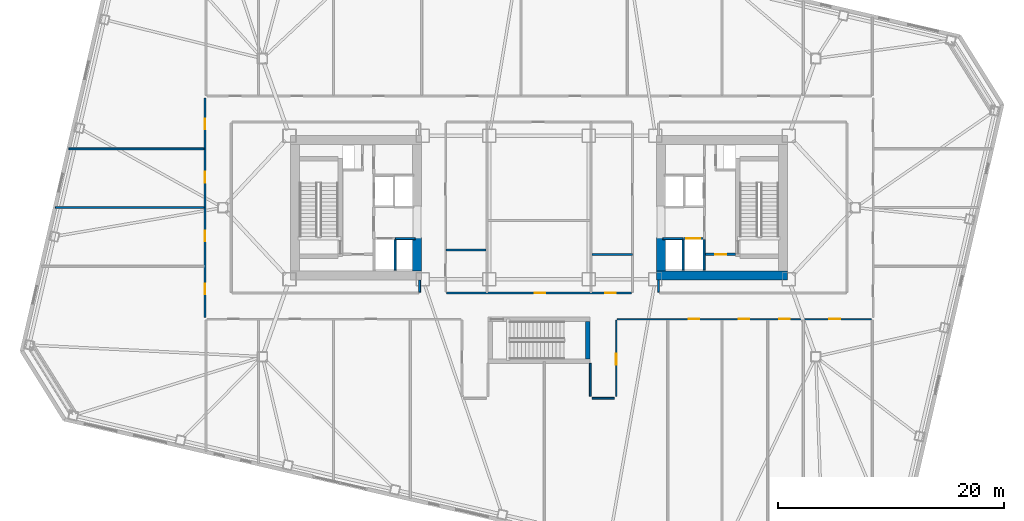
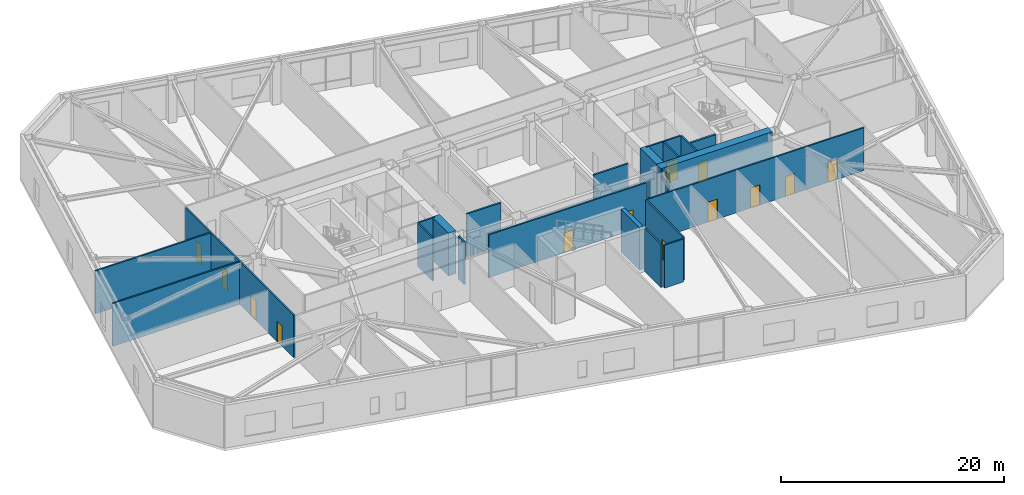
# One storey, part 10 of 20: 23 walls, 13 doors, 13 openings.
"""IFC4 building model written with IfcOpenShell, lengths in metres."""

from ifc_helpers import new_model, si_unit, direction, frame, frame_2d, origin, place, context, subcontext, project, spatial, rectangle, extrude, material, layer, layer_set, type_object, element, fill, save


model = new_model("IFC4")

# Units and contexts
model_context = context("Model", 3, precision=1e-05, world=origin(), true_north=direction((0.0, 1.0)))
body_context = subcontext(model_context, "Body", "Model", "MODEL_VIEW")
ifc_project = project(units=[si_unit("LENGTHUNIT", "METRE"), si_unit("AREAUNIT", "SQUARE_METRE"), si_unit("VOLUMEUNIT", "CUBIC_METRE"), si_unit("PLANEANGLEUNIT", "RADIAN"), si_unit("MASSUNIT", "GRAM", prefix="KILO")], contexts=[model_context])

# Site, building, storey
site_placement = place(None, origin())
site = spatial("IfcSite", under=ifc_project, at=site_placement, CompositionType="ELEMENT")
building_placement = place(site_placement, origin())
building = spatial("IfcBuilding", under=site, at=building_placement, Name="Tavrogorsk Clinical Tower", CompositionType="ELEMENT")
storey_placement = place(building_placement, frame((0.0, 0.0, 13.39990234375)))
storey = spatial("IfcBuildingStorey", under=building, at=storey_placement, Name="L02", CompositionType="ELEMENT", Elevation=13.39990234375)

# Wall, opening, door
ifc_material_1 = material(Name="Concrete B60", Category="concrete")
ifc_layer_1 = layer(ifc_material_1, 0.199951171875)
ifc_layer_set_1 = layer_set([ifc_layer_1], Name="Concrete B60")
wall_type_1 = type_object("IfcWallType", Name="CoreFireWall_200", PredefinedType="SOLIDWALL", material=ifc_layer_set_1)
wall_1_placement = place(storey_placement, frame((14.719970703125, -4.139892578125, 0.0), z_axis=(0.0, 0.0, 1.0), x_axis=(1.0, 0.0, 0.0)))
wall_1 = element("IfcWall", 1, at=wall_1_placement, inside=storey, type_object=wall_type_1, Name="L02 Core East South Core Room Fire Wall", PredefinedType="SOLIDWALL", context=body_context, shape_type="SweptSolid", body=[
    extrude(rectangle(XDim=2.659912109375, YDim=0.199951171875, at=frame_2d((1.330078125, 0.0))), origin(), (0.0, 0.0, 1.0), 4.7001953125),
])
opening_1_placement = place(wall_1_placement, frame((0.8798828125, 0.0, 0.0)))
opening_1 = element("IfcOpeningElement", 2, at=opening_1_placement, cuts=wall_1, Name="Opening ID-02", PredefinedType="OPENING", context=body_context, shape_type="SweptSolid", body=[
    extrude(rectangle(XDim=0.949951171875, YDim=2.199951171875, at=frame_2d((0.47509765625, 1.10009765625))), frame((0.0, 0.10986328125, 0.0), z_axis=(0.0, -1.0, 0.0), x_axis=(1.0, 0.0, 0.0)), (0.0, 0.0, 1.0), 0.219970703125),
])
ifc_material_2 = material(Name="Laminated timber leaf on aluminium frame", Category="wood")
door_type_1 = type_object("IfcDoorType", Name="InteriorDoor_ID02_950", OperationType="NOTDEFINED", PredefinedType="DOOR", material=ifc_material_2)
door_1_placement = place(opening_1_placement, origin())
door_1 = element("IfcDoor", 3, at=door_1_placement, inside=storey, type_object=door_type_1, Name="L02 Core East South Core Room Door", OperationType="SINGLE_SWING_RIGHT", OverallHeight=2.199951171875, OverallWidth=0.949951171875, PredefinedType="DOOR", context=body_context, shape_type="SweptSolid", body=[
    extrude(rectangle(XDim=0.949951171875, YDim=2.199951171875, at=frame_2d((0.47509765625, 1.10009765625))), frame((0.0, 0.02490234375, 0.0), z_axis=(0.0, -1.0, 0.0), x_axis=(1.0, 0.0, 0.0)), (0.0, 0.0, 1.0), 0.050048828125),
])
fill(opening_1, door_1)

# Wall, openings, doors
ifc_material_3 = material(Name="Lightweight concrete blockwork B15", Category="masonry")
ifc_layer_2 = layer(ifc_material_3, 0.159912109375)
ifc_layer_set_2 = layer_set([ifc_layer_2], Name="Lightweight concrete blockwork B15")
wall_type_2 = type_object("IfcWallType", Name="PartitionWall_160", PredefinedType="PARTITIONING", material=ifc_layer_set_2)
wall_2_placement = place(storey_placement, frame((-29.580078125, -9.715087890625, 0.0), z_axis=(0.0, 0.0, 1.0), x_axis=(0.0, 1.0, 0.0)))
wall_2 = element("IfcWall", 4, at=wall_2_placement, inside=storey, type_object=wall_type_2, Name="L02 Corridor Partition 01", PredefinedType="PARTITIONING", context=body_context, shape_type="SweptSolid", body=[
    extrude(rectangle(XDim=19.43017578125, YDim=0.159912109375, at=frame_2d((9.715087890625, 0.0))), origin(), (0.0, 0.0, 1.0), 4.7001953125),
])
opening_2_placement = place(wall_2_placement, frame((2.01904296875, 0.0, 0.0)))
opening_2 = element("IfcOpeningElement", 5, at=opening_2_placement, cuts=wall_2, Name="Opening ID-02", PredefinedType="OPENING", context=body_context, shape_type="SweptSolid", body=[
    extrude(rectangle(XDim=0.949951171875, YDim=2.199951171875, at=frame_2d((0.47509765625, 1.10009765625))), frame((0.0, 0.08984375, 0.0), z_axis=(0.0, -1.0, 0.0), x_axis=(1.0, 0.0, 0.0)), (0.0, 0.0, 1.0), 0.179931640625),
])
opening_3_placement = place(wall_2_placement, frame((6.72509765625, 0.0, 0.0)))
opening_3 = element("IfcOpeningElement", 6, at=opening_3_placement, cuts=wall_2, Name="Opening ID-02", PredefinedType="OPENING", context=body_context, shape_type="SweptSolid", body=[
    extrude(rectangle(XDim=0.949951171875, YDim=2.199951171875, at=frame_2d((0.47509765625, 1.10009765625))), frame((0.0, 0.08984375, 0.0), z_axis=(0.0, -1.0, 0.0), x_axis=(1.0, 0.0, 0.0)), (0.0, 0.0, 1.0), 0.179931640625),
])
opening_4_placement = place(wall_2_placement, frame((11.925048828125, 0.0, 0.0)))
opening_4 = element("IfcOpeningElement", 7, at=opening_4_placement, cuts=wall_2, Name="Opening ID-02", PredefinedType="OPENING", context=body_context, shape_type="SweptSolid", body=[
    extrude(rectangle(XDim=0.949951171875, YDim=2.199951171875, at=frame_2d((0.47509765625, 1.10009765625))), frame((0.0, 0.08984375, 0.0), z_axis=(0.0, -1.0, 0.0), x_axis=(1.0, 0.0, 0.0)), (0.0, 0.0, 1.0), 0.179931640625),
])
opening_5_placement = place(wall_2_placement, frame((16.630859375, 0.0, 0.0)))
opening_5 = element("IfcOpeningElement", 8, at=opening_5_placement, cuts=wall_2, Name="Opening ID-02", PredefinedType="OPENING", context=body_context, shape_type="SweptSolid", body=[
    extrude(rectangle(XDim=0.949951171875, YDim=2.199951171875, at=frame_2d((0.47509765625, 1.10009765625))), frame((0.0, 0.08984375, 0.0), z_axis=(0.0, -1.0, 0.0), x_axis=(1.0, 0.0, 0.0)), (0.0, 0.0, 1.0), 0.179931640625),
])
door_2_placement = place(opening_2_placement, origin())
door_2 = element("IfcDoor", 9, at=door_2_placement, inside=storey, type_object=door_type_1, Name="L02 W Solarium Day Room & Lounge 1 Door", OperationType="SINGLE_SWING_RIGHT", OverallHeight=2.199951171875, OverallWidth=0.949951171875, PredefinedType="DOOR", context=body_context, shape_type="SweptSolid", body=[
    extrude(rectangle(XDim=0.949951171875, YDim=2.199951171875, at=frame_2d((0.47509765625, 1.10009765625))), frame((0.0, 0.02490234375, 0.0), z_axis=(0.0, -1.0, 0.0), x_axis=(1.0, 0.0, 0.0)), (0.0, 0.0, 1.0), 0.050048828125),
])
fill(opening_2, door_2)
door_3_placement = place(opening_3_placement, origin())
door_3 = element("IfcDoor", 10, at=door_3_placement, inside=storey, type_object=door_type_1, Name="L02 W Rehabilitation Therapy Suite 2 Door", OperationType="SINGLE_SWING_LEFT", OverallHeight=2.199951171875, OverallWidth=0.949951171875, PredefinedType="DOOR", context=body_context, shape_type="SweptSolid", body=[
    extrude(rectangle(XDim=0.949951171875, YDim=2.199951171875, at=frame_2d((0.47509765625, 1.10009765625))), frame((0.0, 0.02490234375, 0.0), z_axis=(0.0, -1.0, 0.0), x_axis=(1.0, 0.0, 0.0)), (0.0, 0.0, 1.0), 0.050048828125),
])
fill(opening_3, door_3)
door_4_placement = place(opening_4_placement, origin())
door_4 = element("IfcDoor", 11, at=door_4_placement, inside=storey, type_object=door_type_1, Name="L02 W Sub-Acute Observation Suite 3 Door", OperationType="SINGLE_SWING_RIGHT", OverallHeight=2.199951171875, OverallWidth=0.949951171875, PredefinedType="DOOR", context=body_context, shape_type="SweptSolid", body=[
    extrude(rectangle(XDim=0.949951171875, YDim=2.199951171875, at=frame_2d((0.47509765625, 1.10009765625))), frame((0.0, 0.02490234375, 0.0), z_axis=(0.0, -1.0, 0.0), x_axis=(1.0, 0.0, 0.0)), (0.0, 0.0, 1.0), 0.050048828125),
])
fill(opening_4, door_4)
door_5_placement = place(opening_5_placement, origin())
door_5 = element("IfcDoor", 12, at=door_5_placement, inside=storey, type_object=door_type_1, Name="L02 W Family Consultation Lounge 4 Door", OperationType="SINGLE_SWING_LEFT", OverallHeight=2.199951171875, OverallWidth=0.949951171875, PredefinedType="DOOR", context=body_context, shape_type="SweptSolid", body=[
    extrude(rectangle(XDim=0.949951171875, YDim=2.199951171875, at=frame_2d((0.47509765625, 1.10009765625))), frame((0.0, 0.02490234375, 0.0), z_axis=(0.0, -1.0, 0.0), x_axis=(1.0, 0.0, 0.0)), (0.0, 0.0, 1.0), 0.050048828125),
])
fill(opening_5, door_5)

wall_3_placement = place(storey_placement, frame((29.4150390625, -9.8798828125, 0.0), z_axis=(0.0, 0.0, 1.0), x_axis=(-1.0, 0.0, 0.0)))
wall_3 = element("IfcWall", 13, at=wall_3_placement, inside=storey, type_object=wall_type_2, Name="L02 Corridor Partition 04", PredefinedType="PARTITIONING", context=body_context, shape_type="SweptSolid", body=[
    extrude(rectangle(XDim=22.5, YDim=0.159912109375, at=frame_2d((11.25, 0.0))), origin(), (0.0, 0.0, 1.0), 4.7001953125),
])
opening_6_placement = place(wall_3_placement, frame((15.22509765625, 0.0, 0.0)))
opening_6 = element("IfcOpeningElement", 14, at=opening_6_placement, cuts=wall_3, Name="Opening ID-02", PredefinedType="OPENING", context=body_context, shape_type="SweptSolid", body=[
    extrude(rectangle(XDim=0.949951171875, YDim=2.199951171875, at=frame_2d((0.47509765625, 1.10009765625))), frame((0.0, 0.08984375, 0.0), z_axis=(0.0, -1.0, 0.0), x_axis=(1.0, 0.0, 0.0)), (0.0, 0.0, 1.0), 0.179931640625),
])
opening_7_placement = place(wall_3_placement, frame((10.800048828125, 0.0, 0.0)))
opening_7 = element("IfcOpeningElement", 15, at=opening_7_placement, cuts=wall_3, Name="Opening ID-02", PredefinedType="OPENING", context=body_context, shape_type="SweptSolid", body=[
    extrude(rectangle(XDim=0.949951171875, YDim=2.199951171875, at=frame_2d((0.47509765625, 1.10009765625))), frame((0.0, 0.08984375, 0.0), z_axis=(0.0, -1.0, 0.0), x_axis=(1.0, 0.0, 0.0)), (0.0, 0.0, 1.0), 0.179931640625),
])
opening_8_placement = place(wall_3_placement, frame((7.199951171875, 0.0, 0.0)))
opening_8 = element("IfcOpeningElement", 16, at=opening_8_placement, cuts=wall_3, Name="Opening ID-02", PredefinedType="OPENING", context=body_context, shape_type="SweptSolid", body=[
    extrude(rectangle(XDim=0.949951171875, YDim=2.199951171875, at=frame_2d((0.47509765625, 1.10009765625))), frame((0.0, 0.08984375, 0.0), z_axis=(0.0, -1.0, 0.0), x_axis=(1.0, 0.0, 0.0)), (0.0, 0.0, 1.0), 0.179931640625),
])
opening_9_placement = place(wall_3_placement, frame((2.76904296875, 0.0, 0.0)))
opening_9 = element("IfcOpeningElement", 17, at=opening_9_placement, cuts=wall_3, Name="Opening ID-02", PredefinedType="OPENING", context=body_context, shape_type="SweptSolid", body=[
    extrude(rectangle(XDim=0.949951171875, YDim=2.199951171875, at=frame_2d((0.47509765625, 1.10009765625))), frame((0.0, 0.08984375, 0.0), z_axis=(0.0, -1.0, 0.0), x_axis=(1.0, 0.0, 0.0)), (0.0, 0.0, 1.0), 0.179931640625),
])
door_6_placement = place(opening_6_placement, origin())
door_6 = element("IfcDoor", 18, at=door_6_placement, inside=storey, type_object=door_type_1, Name="L02 South Pathologist Consultation Office 05 Door", OperationType="SINGLE_SWING_RIGHT", OverallHeight=2.199951171875, OverallWidth=0.949951171875, PredefinedType="DOOR", context=body_context, shape_type="SweptSolid", body=[
    extrude(rectangle(XDim=0.949951171875, YDim=2.199951171875, at=frame_2d((0.47509765625, 1.10009765625))), frame((0.0, 0.02490234375, 0.0), z_axis=(0.0, -1.0, 0.0), x_axis=(1.0, 0.0, 0.0)), (0.0, 0.0, 1.0), 0.050048828125),
])
fill(opening_6, door_6)
door_7_placement = place(opening_7_placement, origin())
door_7 = element("IfcDoor", 19, at=door_7_placement, inside=storey, type_object=door_type_1, Name="L02 South Laboratory Seminar Room 06A Door", OperationType="SINGLE_SWING_LEFT", OverallHeight=2.199951171875, OverallWidth=0.949951171875, PredefinedType="DOOR", context=body_context, shape_type="SweptSolid", body=[
    extrude(rectangle(XDim=0.949951171875, YDim=2.199951171875, at=frame_2d((0.47509765625, 1.10009765625))), frame((0.0, 0.02490234375, 0.0), z_axis=(0.0, -1.0, 0.0), x_axis=(1.0, 0.0, 0.0)), (0.0, 0.0, 1.0), 0.050048828125),
])
fill(opening_7, door_7)
door_8_placement = place(opening_8_placement, origin())
door_8 = element("IfcDoor", 20, at=door_8_placement, inside=storey, type_object=door_type_1, Name="L02 South Histopathology & Cytology Laboratory 06B Door", OperationType="SINGLE_SWING_RIGHT", OverallHeight=2.199951171875, OverallWidth=0.949951171875, PredefinedType="DOOR", context=body_context, shape_type="SweptSolid", body=[
    extrude(rectangle(XDim=0.949951171875, YDim=2.199951171875, at=frame_2d((0.47509765625, 1.10009765625))), frame((0.0, 0.02490234375, 0.0), z_axis=(0.0, -1.0, 0.0), x_axis=(1.0, 0.0, 0.0)), (0.0, 0.0, 1.0), 0.050048828125),
])
fill(opening_8, door_8)
door_9_placement = place(opening_9_placement, origin())
door_9 = element("IfcDoor", 21, at=door_9_placement, inside=storey, type_object=door_type_1, Name="L02 South Clinical Biochemistry Laboratory 07 Door", OperationType="SINGLE_SWING_LEFT", OverallHeight=2.199951171875, OverallWidth=0.949951171875, PredefinedType="DOOR", context=body_context, shape_type="SweptSolid", body=[
    extrude(rectangle(XDim=0.949951171875, YDim=2.199951171875, at=frame_2d((0.47509765625, 1.10009765625))), frame((0.0, 0.02490234375, 0.0), z_axis=(0.0, -1.0, 0.0), x_axis=(1.0, 0.0, 0.0)), (0.0, 0.0, 1.0), 0.050048828125),
])
fill(opening_9, door_9)

# Wall, opening, door
wall_4_placement = place(storey_placement, frame((6.830078125, -9.965087890625, 0.0), z_axis=(0.0, 0.0, 1.0), x_axis=(0.0, -1.0, 0.0)))
wall_4 = element("IfcWall", 22, at=wall_4_placement, inside=storey, type_object=wall_type_2, Name="L02 Corridor Partition 05", PredefinedType="PARTITIONING", context=body_context, shape_type="SweptSolid", body=[
    extrude(rectangle(XDim=6.75, YDim=0.159912109375, at=frame_2d((3.375, 0.0))), origin(), (0.0, 0.0, 1.0), 4.7001953125),
])
opening_10_placement = place(wall_4_placement, frame((2.985107421875, 0.0, 0.0)))
opening_10 = element("IfcOpeningElement", 23, at=opening_10_placement, cuts=wall_4, Name="Opening ID-02", PredefinedType="OPENING", context=body_context, shape_type="SweptSolid", body=[
    extrude(rectangle(XDim=0.949951171875, YDim=2.199951171875, at=frame_2d((0.47509765625, 1.10009765625))), frame((0.0, 0.08984375, 0.0), z_axis=(0.0, -1.0, 0.0), x_axis=(1.0, 0.0, 0.0)), (0.0, 0.0, 1.0), 0.179931640625),
])
door_10_placement = place(opening_10_placement, origin())
door_10 = element("IfcDoor", 24, at=door_10_placement, inside=storey, type_object=door_type_1, Name="L02 South Reagent Cold Storage Room 04B Door", OperationType="SINGLE_SWING_LEFT", OverallHeight=2.199951171875, OverallWidth=0.949951171875, PredefinedType="DOOR", context=body_context, shape_type="SweptSolid", body=[
    extrude(rectangle(XDim=0.949951171875, YDim=2.199951171875, at=frame_2d((0.47509765625, 1.10009765625))), frame((0.0, 0.02490234375, 0.0), z_axis=(0.0, -1.0, 0.0), x_axis=(1.0, 0.0, 0.0)), (0.0, 0.0, 1.0), 0.050048828125),
])
fill(opening_10, door_10)

# Walls
wall_5_placement = place(storey_placement, frame((6.6650390625, -16.8798828125, 0.0), z_axis=(0.0, 0.0, 1.0), x_axis=(-1.0, 0.0, 0.0)))
element("IfcWall", 25, at=wall_5_placement, inside=storey, type_object=wall_type_2, Name="L02 Corridor Partition 06", PredefinedType="PARTITIONING", context=body_context, shape_type="SweptSolid", body=[
    extrude(rectangle(XDim=1.97998046875, YDim=0.159912109375, at=frame_2d((0.989990234375, 0.0))), origin(), (0.0, 0.0, 1.0), 4.7001953125),
])
wall_6_placement = place(storey_placement, frame((4.52001953125, -16.715087890625, 0.0), z_axis=(0.0, 0.0, 1.0), x_axis=(0.0, 1.0, 0.0)))
element("IfcWall", 26, at=wall_6_placement, inside=storey, type_object=wall_type_2, Name="L02 Corridor Partition 07", PredefinedType="PARTITIONING", context=body_context, shape_type="SweptSolid", body=[
    extrude(rectangle(XDim=2.9150390625, YDim=0.159912109375, at=frame_2d((1.45751953125, 0.0))), origin(), (0.0, 0.0, 1.0), 4.7001953125),
])
wall_7_placement = place(storey_placement, frame((10.580078125, -6.419921875, 0.0), z_axis=(0.0, 0.0, 1.0), x_axis=(0.0, -1.0, 0.0)))
element("IfcWall", 27, at=wall_7_placement, inside=storey, type_object=wall_type_2, Name="L02 Corridor Partition 14", PredefinedType="PARTITIONING", context=body_context, shape_type="SweptSolid", body=[
    extrude(rectangle(XDim=1.065185546875, YDim=0.159912109375, at=frame_2d((0.53271484375, 0.0))), origin(), (0.0, 0.0, 1.0), 4.7001953125),
])

# Wall, openings, doors
wall_8_placement = place(storey_placement, frame((-8.18505859375, -7.570068359375, 0.0), z_axis=(0.0, 0.0, 1.0), x_axis=(1.0, 0.0, 0.0)))
wall_8 = element("IfcWall", 28, at=wall_8_placement, inside=storey, type_object=wall_type_2, Name="L02 Corridor Partition 19", PredefinedType="PARTITIONING", context=body_context, shape_type="SweptSolid", body=[
    extrude(rectangle(XDim=16.3701171875, YDim=0.159912109375, at=frame_2d((8.18505859375, 0.0))), origin(), (0.0, 0.0, 1.0), 4.7001953125),
])
opening_11_placement = place(wall_8_placement, frame((7.794921875, 0.0, 0.0)))
opening_11 = element("IfcOpeningElement", 29, at=opening_11_placement, cuts=wall_8, Name="Opening ID-02", PredefinedType="OPENING", context=body_context, shape_type="SweptSolid", body=[
    extrude(rectangle(XDim=0.949951171875, YDim=2.199951171875, at=frame_2d((0.47509765625, 1.10009765625))), frame((0.0, 0.08984375, 0.0), z_axis=(0.0, -1.0, 0.0), x_axis=(1.0, 0.0, 0.0)), (0.0, 0.0, 1.0), 0.179931640625),
])
opening_12_placement = place(wall_8_placement, frame((14.035888671875, 0.0, 0.0)))
opening_12 = element("IfcOpeningElement", 30, at=opening_12_placement, cuts=wall_8, Name="Opening ID-02", PredefinedType="OPENING", context=body_context, shape_type="SweptSolid", body=[
    extrude(rectangle(XDim=0.949951171875, YDim=2.199951171875, at=frame_2d((0.47509765625, 1.10009765625))), frame((0.0, 0.08984375, 0.0), z_axis=(0.0, -1.0, 0.0), x_axis=(1.0, 0.0, 0.0)), (0.0, 0.0, 1.0), 0.179931640625),
])
door_11_placement = place(opening_11_placement, origin())
door_11 = element("IfcDoor", 31, at=door_11_placement, inside=storey, type_object=door_type_1, Name="L02 Multidisciplinary Conference Room Door", OperationType="SINGLE_SWING_RIGHT", OverallHeight=2.199951171875, OverallWidth=0.949951171875, PredefinedType="DOOR", context=body_context, shape_type="SweptSolid", body=[
    extrude(rectangle(XDim=0.949951171875, YDim=2.199951171875, at=frame_2d((0.47509765625, 1.10009765625))), frame((0.0, 0.02490234375, 0.0), z_axis=(0.0, -1.0, 0.0), x_axis=(1.0, 0.0, 0.0)), (0.0, 0.0, 1.0), 0.050048828125),
])
fill(opening_11, door_11)
door_12_placement = place(opening_12_placement, origin())
door_12 = element("IfcDoor", 32, at=door_12_placement, inside=storey, type_object=door_type_1, Name="L02 Staff & Visitor Accessible WC Door", OperationType="SINGLE_SWING_RIGHT", OverallHeight=2.199951171875, OverallWidth=0.949951171875, PredefinedType="DOOR", context=body_context, shape_type="SweptSolid", body=[
    extrude(rectangle(XDim=0.949951171875, YDim=2.199951171875, at=frame_2d((0.47509765625, 1.10009765625))), frame((0.0, 0.02490234375, 0.0), z_axis=(0.0, -1.0, 0.0), x_axis=(1.0, 0.0, 0.0)), (0.0, 0.0, 1.0), 0.050048828125),
])
fill(opening_12, door_12)

# Walls
wall_9_placement = place(storey_placement, frame((-10.580078125, -7.485107421875, 0.0), z_axis=(0.0, 0.0, 1.0), x_axis=(0.0, 1.0, 0.0)))
element("IfcWall", 33, at=wall_9_placement, inside=storey, type_object=wall_type_2, Name="L02 Corridor Partition 21", PredefinedType="PARTITIONING", context=body_context, shape_type="SweptSolid", body=[
    extrude(rectangle(XDim=1.065185546875, YDim=0.159912109375, at=frame_2d((0.53271484375, 0.0))), origin(), (0.0, 0.0, 1.0), 4.7001953125),
])
wall_10_placement = place(storey_placement, frame((-42.841552734375, 0.0, 0.0), z_axis=(0.0, 0.0, 1.0), x_axis=(1.0, 0.0, 0.0)))
element("IfcWall", 34, at=wall_10_placement, inside=storey, type_object=wall_type_2, Name="L02 W Wing Divider 2", PredefinedType="PARTITIONING", context=body_context, shape_type="SweptSolid", body=[
    extrude(rectangle(XDim=13.176513671875, YDim=0.159912109375, at=frame_2d((6.58837890625, 0.0))), origin(), (0.0, 0.0, 1.0), 4.7001953125),
])
wall_11_placement = place(storey_placement, frame((-41.64111328125, 5.199951171875, 0.0), z_axis=(0.0, 0.0, 1.0), x_axis=(1.0, 0.0, 0.0)))
element("IfcWall", 35, at=wall_11_placement, inside=storey, type_object=wall_type_2, Name="L02 W Wing Divider 3", PredefinedType="PARTITIONING", context=body_context, shape_type="SweptSolid", body=[
    extrude(rectangle(XDim=11.97607421875, YDim=0.159912109375, at=frame_2d((5.988037109375, 0.0))), origin(), (0.0, 0.0, 1.0), 4.7001953125),
])
ifc_material_4 = material(Name="Lightweight concrete blockwork B20", Category="masonry")
ifc_layer_3 = layer(ifc_material_4, 0.179931640625)
ifc_layer_set_3 = layer_set([ifc_layer_3], Name="Lightweight concrete blockwork B20")
wall_type_3 = type_object("IfcWallType", Name="PartitionWall_180", PredefinedType="PARTITIONING", material=ifc_layer_set_3)
for number, where, z_axis, x_axis, name in (
    (36, (-8.264892578125, -3.75, 0.0), (0.0, 0.0, 1.0), (1.0, 0.0, 0.0), "L02 Central Spine Partition 4"),
    (37, (4.695068359375, -4.14990234375, 0.0), (0.0, 0.0, 1.0), (1.0, 0.0, 0.0), "L02 Central Spine Partition 5"),
):
    element("IfcWall", number, at=place(storey_placement, frame(where, z_axis=z_axis, x_axis=x_axis)), inside=storey, type_object=wall_type_3, Name=name, PredefinedType="PARTITIONING", context=body_context, shape_type="SweptSolid", body=[
        extrude(rectangle(XDim=3.56982421875, YDim=0.179931640625, at=frame_2d((1.784912109375, 0.0))), origin(), (0.0, 0.0, 1.0), 4.7001953125),
    ])
ifc_material_5 = material(Name="Lightweight concrete blockwork B25", Category="masonry")
ifc_layer_4 = layer(ifc_material_5, 0.159912109375)
ifc_layer_set_4 = layer_set([ifc_layer_4], Name="Lightweight concrete blockwork B25")
wall_type_4 = type_object("IfcWallType", Name="ShaftWall_160", PredefinedType="PARTITIONING", material=ifc_layer_set_4)
wall_12_placement = place(storey_placement, frame((-12.75, -5.5400390625, 0.0), z_axis=(0.0, 0.0, 1.0), x_axis=(0.0, 1.0, 0.0)))
element("IfcWall", 38, at=wall_12_placement, inside=storey, type_object=wall_type_4, Name="L02 LP-L1 Lift Hoistway Divider Wall", PredefinedType="PARTITIONING", context=body_context, shape_type="SweptSolid", body=[
    extrude(rectangle(XDim=2.699951171875, YDim=0.159912109375, at=frame_2d((1.35009765625, 0.0))), origin(), (0.0, 0.0, 1.0), 4.7001953125),
])
wall_13_placement = place(storey_placement, frame((-12.72998046875, -2.75, 0.0), z_axis=(0.0, 0.0, 1.0), x_axis=(1.0, 0.0, 0.0)))
element("IfcWall", 39, at=wall_13_placement, inside=storey, type_object=wall_type_4, Name="L02 LP-M1 Lift Shaft Portal Wall", PredefinedType="PARTITIONING", context=body_context, shape_type="SweptSolid", body=[
    extrude(rectangle(XDim=1.760009765625, YDim=0.159912109375, at=frame_2d((0.8798828125, 0.0))), origin(), (0.0, 0.0, 1.0), 4.7001953125),
])

# Wall, opening, door
wall_14_placement = place(storey_placement, frame((12.77001953125, -2.75, 0.0), z_axis=(0.0, 0.0, 1.0), x_axis=(1.0, 0.0, 0.0)))
wall_14 = element("IfcWall", 40, at=wall_14_placement, inside=storey, type_object=wall_type_4, Name="L02 LP-L2 Lift Shaft Portal Wall", PredefinedType="PARTITIONING", context=body_context, shape_type="SweptSolid", body=[
    extrude(rectangle(XDim=1.760009765625, YDim=0.159912109375, at=frame_2d((0.8798828125, 0.0))), origin(), (0.0, 0.0, 1.0), 4.7001953125),
])
opening_13_placement = place(wall_14_placement, frame((0.280029296875, 0.0, 0.0)))
opening_13 = element("IfcOpeningElement", 41, at=opening_13_placement, cuts=wall_14, Name="Opening LD", PredefinedType="OPENING", context=body_context, shape_type="SweptSolid", body=[
    extrude(rectangle(XDim=1.199951171875, YDim=2.199951171875, at=frame_2d((0.60009765625, 1.10009765625))), frame((0.0, 0.08984375, 0.0), z_axis=(0.0, -1.0, 0.0), x_axis=(1.0, 0.0, 0.0)), (0.0, 0.0, 1.0), 0.179931640625),
])
ifc_material_6 = material(Name="Brushed stainless steel AISI 304 sliding doors", Category="steel")
door_type_2 = type_object("IfcDoorType", Name="LiftLandingDoor_LD_1200", OperationType="SLIDING_TO_LEFT", PredefinedType="DOOR", material=ifc_material_6)
door_13_placement = place(opening_13_placement, origin())
door_13 = element("IfcDoor", 42, at=door_13_placement, inside=storey, type_object=door_type_2, Name="L02 LP-L2 Sliding Lift Landing Door", OperationType="SLIDING_TO_LEFT", OverallHeight=2.199951171875, OverallWidth=1.199951171875, PredefinedType="DOOR", context=body_context, shape_type="SweptSolid", body=[
    extrude(rectangle(XDim=1.199951171875, YDim=2.199951171875, at=frame_2d((0.60009765625, 1.10009765625))), frame((0.0, 0.02490234375, 0.0), z_axis=(0.0, -1.0, 0.0), x_axis=(1.0, 0.0, 0.0)), (0.0, 0.0, 1.0), 0.050048828125),
])
fill(opening_13, door_13)

# Walls
for number, where, z_axis, x_axis, name in (
    (43, (12.75, -5.5400390625, 0.0), (0.0, 0.0, 1.0), (0.0, 1.0, 0.0), "L02 LP-L2 Lift Hoistway Divider Wall"),
    (44, (14.610107421875, -5.5400390625, 0.0), (0.0, 0.0, 1.0), (0.0, 1.0, 0.0), "L02 LP-L2 Lift Hoistway Outer Cheek Wall"),
):
    element("IfcWall", number, at=place(storey_placement, frame(where, z_axis=z_axis, x_axis=x_axis)), inside=storey, type_object=wall_type_4, Name=name, PredefinedType="PARTITIONING", context=body_context, shape_type="SweptSolid", body=[
        extrude(rectangle(XDim=2.699951171875, YDim=0.159912109375, at=frame_2d((1.35009765625, 0.0))), origin(), (0.0, 0.0, 1.0), 4.7001953125),
    ])
wall_15_placement = place(storey_placement, frame((10.969970703125, -2.75, 0.0), z_axis=(0.0, 0.0, 1.0), x_axis=(1.0, 0.0, 0.0)))
element("IfcWall", 45, at=wall_15_placement, inside=storey, type_object=wall_type_4, Name="L02 LP-M2 Lift Shaft Portal Wall", PredefinedType="PARTITIONING", context=body_context, shape_type="SweptSolid", body=[
    extrude(rectangle(XDim=1.760009765625, YDim=0.159912109375, at=frame_2d((0.8798828125, 0.0))), origin(), (0.0, 0.0, 1.0), 4.7001953125),
])
ifc_material_7 = material(Name="Concrete B80", Category="concrete")
ifc_layer_5 = layer(ifc_material_7, 0.39990234375)
ifc_layer_set_5 = layer_set([ifc_layer_5], Name="Concrete B80")
wall_type_5 = type_object("IfcWallType", Name="ShearWall_400", PredefinedType="SHEAR", material=ifc_layer_set_5)
wall_16_placement = place(storey_placement, frame((4.324951171875, -13.39990234375, 0.0), z_axis=(0.0, 0.0, 1.0), x_axis=(0.0, 1.0, 0.0)))
element("IfcWall", 46, at=wall_16_placement, inside=storey, type_object=wall_type_5, Name="L02 Podium Stair East Shaft Wall", PredefinedType="SHEAR", context=body_context, shape_type="SweptSolid", body=[
    extrude(rectangle(XDim=3.2998046875, YDim=0.39990234375, at=frame_2d((1.64990234375, 0.0))), origin(), (0.0, 0.0, 1.0), 4.7001953125),
])
ifc_material_8 = material(Name="Concrete B80", Category="concrete")
ifc_layer_6 = layer(ifc_material_8, 0.800048828125)
ifc_layer_set_6 = layer_set([ifc_layer_6], Name="Concrete B80")
wall_type_6 = type_object("IfcWallType", Name="ShearWall_800", PredefinedType="SHEAR", material=ifc_layer_set_6)
wall_17_placement = place(storey_placement, frame((-10.800048828125, -5.60009765625, 0.0), z_axis=(0.0, 0.0, 1.0), x_axis=(0.0, 1.0, 0.0)))
element("IfcWall", 47, at=wall_17_placement, inside=storey, type_object=wall_type_6, Name="L02 Core West Inner South Pier", PredefinedType="SHEAR", context=body_context, shape_type="SweptSolid", body=[
    extrude(rectangle(XDim=2.9501953125, YDim=0.800048828125, at=frame_2d((1.47509765625, 0.0))), origin(), (0.0, 0.0, 1.0), 4.7001953125),
])
wall_18_placement = place(storey_placement, frame((10.39990234375, -6.0, 0.0), z_axis=(0.0, 0.0, 1.0), x_axis=(1.0, 0.0, 0.0)))
element("IfcWall", 48, at=wall_18_placement, inside=storey, type_object=wall_type_6, Name="L02 Core East South Shear Wall", PredefinedType="SHEAR", context=body_context, shape_type="SweptSolid", body=[
    extrude(rectangle(XDim=11.60009765625, YDim=0.800048828125, at=frame_2d((5.800048828125, 0.0))), origin(), (0.0, 0.0, 1.0), 4.7001953125),
])
wall_19_placement = place(storey_placement, frame((10.800048828125, -5.60009765625, 0.0), z_axis=(0.0, 0.0, 1.0), x_axis=(0.0, 1.0, 0.0)))
element("IfcWall", 49, at=wall_19_placement, inside=storey, type_object=wall_type_6, Name="L02 Core East Inner South Pier", PredefinedType="SHEAR", context=body_context, shape_type="SweptSolid", body=[
    extrude(rectangle(XDim=2.9501953125, YDim=0.800048828125, at=frame_2d((1.47509765625, 0.0))), origin(), (0.0, 0.0, 1.0), 4.7001953125),
])

save(model, "model.ifc")
